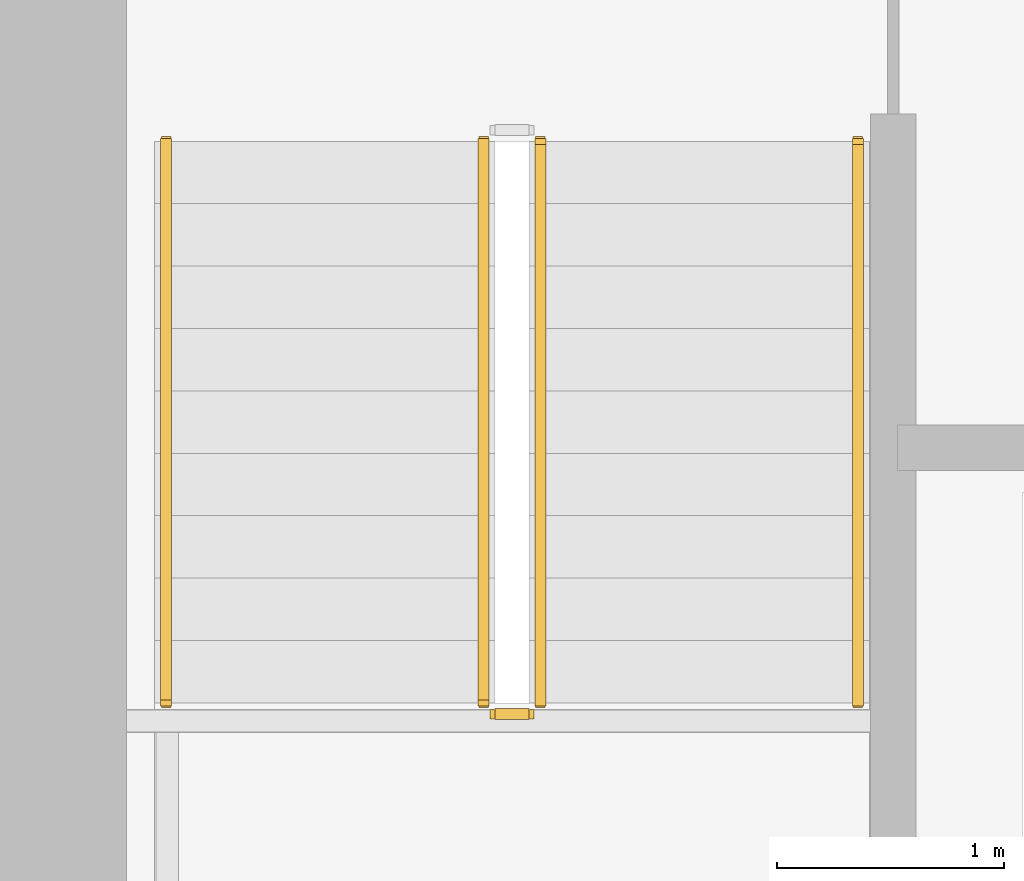
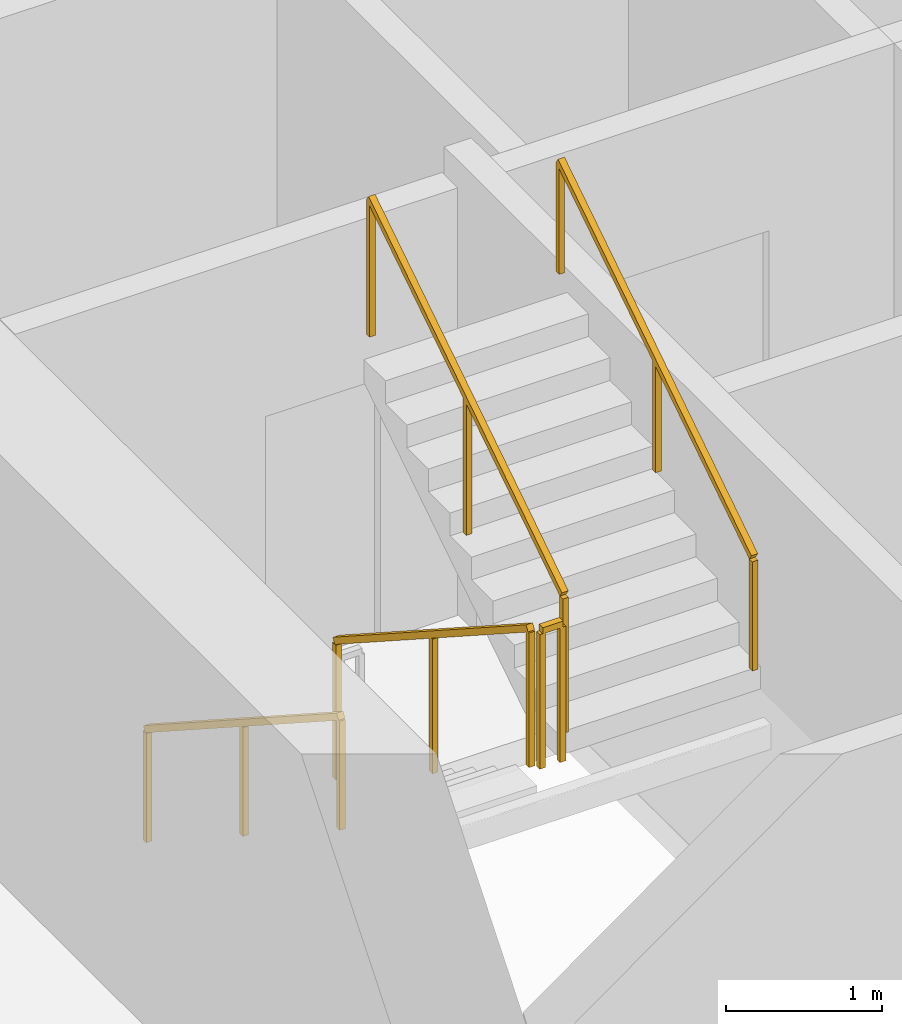
# One storey, part 8 of 10: 5 railings.
"""IFC4 building model written with IfcOpenShell, lengths in metres."""

import ifcopenshell
import ifcopenshell.guid

model = None  # the IFC model being written
_history = None  # IfcOwnerHistory: only IFC2X3 demands one
_inside = {}  # id of a spatial element -> (the spatial element, [elements in it])
_under = {}  # id of a project, library or spatial element -> (it, [spatial elements below it])
_declared = {}  # id of a project -> (the project, [libraries it declares])
_typed = {}  # id of a type object -> (the type object, [elements of that type])
_made_of = {}  # id of a material, layer set ... -> (it, [elements and type objects made of it])


def new_model(schema):
    """Start an empty IFC model of exactly this schema.

    Asked for "IFC4X3", IfcOpenShell would pick the latest addendum, in which some entities
    have other attributes; the version numbers below select the first issue.
    IFC2X3 requires an IfcOwnerHistory on every rooted entity: one is made here for all.
    """
    global model, _history
    if schema == "IFC4X3":
        model = ifcopenshell.file(schema_version=(4, 3, 0, 0))
    else:
        model = ifcopenshell.file(schema=schema)
    _inside.clear()
    _under.clear()
    _declared.clear()
    _typed.clear()
    _made_of.clear()
    _history = None
    if model.schema == "IFC2X3":
        org = make("IfcOrganization", Name="unknown")
        user = make(
            "IfcPersonAndOrganization",
            ThePerson=make("IfcPerson", FamilyName="unknown"),
            TheOrganization=org,
        )
        app = make(
            "IfcApplication",
            ApplicationDeveloper=org,
            Version="unknown",
            ApplicationFullName="unknown",
            ApplicationIdentifier="unknown",
        )
        _history = make(
            "IfcOwnerHistory",
            OwningUser=user,
            OwningApplication=app,
            ChangeAction="ADDED",
            CreationDate=0,
        )
    return model


def make(cls, **values):
    """One entity of the class cls with the attributes given. An attribute that is None is left unset."""
    return model.create_entity(
        cls, **{name: value for name, value in values.items() if value is not None}
    )


def rooted(cls, **values):
    """An entity with a GlobalId (a new one), such as an element, a storey or a relation."""
    return make(cls, GlobalId=ifcopenshell.guid.new(), OwnerHistory=_history, **values)


def si_unit(unit_type, name, prefix=None):
    """IfcSIUnit, for example si_unit("LENGTHUNIT", "METRE", prefix="MILLI")."""
    return make("IfcSIUnit", UnitType=unit_type, Prefix=prefix, Name=name)


def assignment(units):
    """IfcUnitAssignment: the units of a project."""
    return None if units is None else make("IfcUnitAssignment", Units=units)


def point(xyz):
    """IfcCartesianPoint."""
    return None if xyz is None else make("IfcCartesianPoint", Coordinates=xyz)


def direction(xyz):
    """IfcDirection."""
    return None if xyz is None else make("IfcDirection", DirectionRatios=xyz)


def frame(location, z_axis=None, x_axis=None):
    """IfcAxis2Placement3D, a coordinate frame: its origin and axes. An axis left out is left unset."""
    return make(
        "IfcAxis2Placement3D",
        Location=point(location),
        Axis=direction(z_axis),
        RefDirection=direction(x_axis),
    )


def frame_2d(location, x_axis=None):
    """IfcAxis2Placement2D, a coordinate frame in the plane: its origin and x axis."""
    return make(
        "IfcAxis2Placement2D", Location=point(location), RefDirection=direction(x_axis)
    )


def origin():
    """The frame at (0, 0, 0) with its axes left unset."""
    return frame((0.0, 0.0, 0.0))


def origin_2d():
    """The frame at (0, 0) in the plane with its x axis left unset."""
    return frame_2d((0.0, 0.0))


def place(relative_to, where):
    """IfcLocalPlacement: puts the frame where relative to a parent placement (None: the world)."""
    return make(
        "IfcLocalPlacement", PlacementRelTo=relative_to, RelativePlacement=where
    )


def context(
    kind, dimensions, precision=None, world=None, true_north=None, identifier=None
):
    """IfcGeometricRepresentationContext, for example the 3D "Model" context."""
    return make(
        "IfcGeometricRepresentationContext",
        ContextIdentifier=identifier,
        ContextType=kind,
        CoordinateSpaceDimension=dimensions,
        Precision=precision,
        WorldCoordinateSystem=world,
        TrueNorth=true_north,
    )


def subcontext(parent, identifier, kind, view, scale=None):
    """IfcGeometricRepresentationSubContext, for example "Body" below "Model"."""
    return make(
        "IfcGeometricRepresentationSubContext",
        ContextIdentifier=identifier,
        ContextType=kind,
        ParentContext=parent,
        TargetScale=scale,
        TargetView=view,
    )


def project(units=None, contexts=None):
    """IfcProject with its units and contexts."""
    return rooted(
        "IfcProject",
        Name="project",
        RepresentationContexts=contexts,
        UnitsInContext=assignment(units),
    )


def spatial(cls, under=None, at=None, **own):
    """A site, building, storey or space (cls), placed at a placement, below another one or the project."""
    s = rooted(cls, ObjectPlacement=at, **own)
    if under is not None:
        _under.setdefault(under.id(), (under, []))[1].append(s)
    return s


def profile(cls, at=None, kind="AREA", **sizes):
    """A parametric profile (cls). Its sizes go by their IFC names, for example OverallWidth=200.0."""
    return make(cls, ProfileType=kind, Position=at, **sizes)


def rectangle(**sizes):
    """IfcRectangleProfileDef."""
    return profile("IfcRectangleProfileDef", **sizes)


def extrude(swept, where, along, depth):
    """IfcExtrudedAreaSolid: the profile swept, set in the frame where, extruded along a direction by depth."""
    return make(
        "IfcExtrudedAreaSolid",
        SweptArea=swept,
        Position=where,
        ExtrudedDirection=direction(along),
        Depth=depth,
    )


def shape(context_of_items, identifier, shape_type, items):
    """IfcShapeRepresentation: the items that make up one representation, for example the "Body"."""
    return make(
        "IfcShapeRepresentation",
        ContextOfItems=context_of_items,
        RepresentationIdentifier=identifier,
        RepresentationType=shape_type,
        Items=items,
    )


def material(Name=None, Category=None):
    """IfcMaterial."""
    return make("IfcMaterial", Name=Name, Category=Category)


def made_of(thing, what):
    """Note that an element or type object is made of a material, layer set ...; save() writes the relation."""
    if what is not None:
        _made_of.setdefault(what.id(), (what, []))[1].append(thing)
    return thing


def type_object(cls, material=None, **own):
    """A type object (cls), such as IfcWallType, which elements share."""
    return made_of(rooted(cls, **own), material)


def element(
    cls,
    number,
    at=None,
    inside=None,
    cuts=None,
    type_object=None,
    material=None,
    context=None,
    identifier="Body",
    shape_type=None,
    held_by="IfcProductDefinitionShape",
    body=None,
    shapes=None,
    **own,
):
    """One element of the class cls, such as IfcWall. Its Tag is "e" and its number.

    at: its placement. inside: the storey or other place that contains it. cuts: it is an
    opening in that element (IfcRelVoidsElement). A single representation is given by context,
    identifier, shape_type and body (its items); several are given by shapes. held_by: the class
    of the entity that holds the representations. save() writes the other relations.
    """
    e = rooted(cls, Tag="e%d" % number, ObjectPlacement=at, **own)
    if body is not None:
        shapes = [shape(context, identifier, shape_type, body)]
    if shapes is not None:
        e.Representation = make(held_by, Representations=shapes)
    if inside is not None:
        _inside.setdefault(inside.id(), (inside, []))[1].append(e)
    if cuts is not None:
        rooted(
            "IfcRelVoidsElement", RelatingBuildingElement=cuts, RelatedOpeningElement=e
        )
    if type_object is not None:
        _typed.setdefault(type_object.id(), (type_object, []))[1].append(e)
    return made_of(e, material)


def aggregate(whole, parts):
    """IfcRelAggregates: a whole, such as a stair, and the parts it consists of."""
    return rooted("IfcRelAggregates", RelatingObject=whole, RelatedObjects=parts)


def save(model, path):
    """Write the relations noted so far, then the file.

    IfcRelAggregates (storeys below a building ...), IfcRelContainedInSpatialStructure (elements
    in a storey), IfcRelDefinesByType, IfcRelAssociatesMaterial and IfcRelDeclares: one each for
    every whole, place, type object, material and project.
    """
    for whole, parts in _under.values():
        aggregate(whole, parts)
    for where, things in _inside.values():
        rooted(
            "IfcRelContainedInSpatialStructure",
            RelatedElements=things,
            RelatingStructure=where,
        )
    for kind, things in _typed.values():
        rooted("IfcRelDefinesByType", RelatedObjects=things, RelatingType=kind)
    for what, things in _made_of.values():
        rooted("IfcRelAssociatesMaterial", RelatedObjects=things, RelatingMaterial=what)
    for by, libraries in _declared.values():
        rooted("IfcRelDeclares", RelatingContext=by, RelatedDefinitions=libraries)
    model.write(path)


model = new_model("IFC4")

# Units and contexts
model_context = context("Model", 3, precision=1e-05, world=origin(), true_north=direction((0.0, 1.0)))
body_context = subcontext(model_context, "Body", "Model", "MODEL_VIEW")
ifc_project = project(units=[si_unit("LENGTHUNIT", "METRE"), si_unit("AREAUNIT", "SQUARE_METRE"), si_unit("VOLUMEUNIT", "CUBIC_METRE"), si_unit("PLANEANGLEUNIT", "RADIAN"), si_unit("MASSUNIT", "GRAM", prefix="KILO")], contexts=[model_context])

# Site, building, storey
site_placement = place(None, origin())
site = spatial("IfcSite", under=ifc_project, at=site_placement, CompositionType="ELEMENT")
building_placement = place(site_placement, origin())
building = spatial("IfcBuilding", under=site, at=building_placement, Name="Cinnabar Lancet Tower", CompositionType="ELEMENT")
storey_placement = place(building_placement, frame((0.0, 0.0, 98.39990234375)))
storey = spatial("IfcBuildingStorey", under=building, at=storey_placement, Name="L25", CompositionType="ELEMENT", Elevation=98.39990234375)

# Railings
ifc_material_1 = material(Name="Painted galvanized steel balustrade", Category="steel")
railing_type_1 = type_object("IfcRailingType", Name="GUARD-STAIR", PredefinedType="GUARDRAIL", material=ifc_material_1)
railing_1_placement = place(storey_placement, frame((24.97509765625, 28.39990234375, 0.177490234375)))
element("IfcRailing", 1, at=railing_1_placement, inside=storey, type_object=railing_type_1, Name="L25 ST-1 stair guard 1", PredefinedType="GUARDRAIL", context=body_context, shape_type="SweptSolid", body=[
    extrude(rectangle(XDim=0.048095703125, YDim=0.048095703125, at=origin_2d()), frame((0.0, 0.0, 1.076171875), z_axis=(0.0, -0.84014559416, 0.542360932049), x_axis=(1.0, 0.0, 0.0)), (0.0, 0.0, 1.0), 2.94580078125),
    extrude(rectangle(XDim=0.0419921875, YDim=0.0419921875, at=origin_2d()), origin(), (0.0, 0.0, 1.0), 1.052001953125),
    extrude(rectangle(XDim=0.0419921875, YDim=0.0419921875, at=origin_2d()), frame((0.0, -1.2373046875, 0.798828125)), (0.0, 0.0, 1.0), 1.052001953125),
    extrude(rectangle(XDim=0.0419921875, YDim=0.0419921875, at=origin_2d()), frame((0.0, -2.474853515625, 1.59765625)), (0.0, 0.0, 1.0), 1.052001953125),
])
railing_2_placement = place(storey_placement, frame((25.02490234375, 25.875, 1.775146484375)))
element("IfcRailing", 2, at=railing_2_placement, inside=storey, type_object=railing_type_1, Name="L25 ST-1 stair guard 2", PredefinedType="GUARDRAIL", context=body_context, shape_type="SweptSolid", body=[
    extrude(rectangle(XDim=0.048095703125, YDim=0.048095703125, at=origin_2d()), frame((0.0, 0.0, 1.076171875), z_axis=(1.0, 0.0, 0.0), x_axis=(0.0, 1.0, 0.0)), (0.0, 0.0, 1.0), 0.150146484375),
    extrude(rectangle(XDim=0.0419921875, YDim=0.0419921875, at=origin_2d()), origin(), (0.0, 0.0, 1.0), 1.052001953125),
    extrude(rectangle(XDim=0.0419921875, YDim=0.0419921875, at=origin_2d()), frame((0.150146484375, 0.0, 0.0)), (0.0, 0.0, 1.0), 1.052001953125),
])
railing_3_placement = place(storey_placement, frame((25.22509765625, 25.925048828125, 1.95263671875)))
element("IfcRailing", 3, at=railing_3_placement, inside=storey, type_object=railing_type_1, Name="L25 ST-1 stair guard 3", PredefinedType="GUARDRAIL", context=body_context, shape_type="SweptSolid", body=[
    extrude(rectangle(XDim=0.048095703125, YDim=0.048095703125, at=origin_2d()), frame((0.0, 0.0, 1.076171875), z_axis=(0.0, 0.840183358697, 0.542302428327), x_axis=(-1.0, 0.0, 0.0)), (0.0, 0.0, 1.0), 2.945556640625),
    extrude(rectangle(XDim=0.0419921875, YDim=0.0419921875, at=origin_2d()), origin(), (0.0, 0.0, 1.0), 1.052001953125),
    extrude(rectangle(XDim=0.0419921875, YDim=0.0419921875, at=origin_2d()), frame((0.0, 1.2373046875, 0.798828125)), (0.0, 0.0, 1.0), 1.052001953125),
    extrude(rectangle(XDim=0.0419921875, YDim=0.0419921875, at=origin_2d()), frame((0.0, 2.474853515625, 1.597412109375)), (0.0, 0.0, 1.0), 1.052001953125),
])
ifc_material_2 = material(Name="Brushed stainless steel handrail", Category="steel")
railing_type_2 = type_object("IfcRailingType", Name="HANDRAIL-STAIR", PredefinedType="HANDRAIL", material=ifc_material_2)
railing_4_placement = place(storey_placement, frame((23.574951171875, 28.39990234375, 0.177490234375)))
element("IfcRailing", 4, at=railing_4_placement, inside=storey, type_object=railing_type_2, Name="L25 ST-1 stair handrail 1", PredefinedType="HANDRAIL", context=body_context, shape_type="SweptSolid", body=[
    extrude(rectangle(XDim=0.048095703125, YDim=0.048095703125, at=origin_2d()), frame((0.0, 0.0, 0.8759765625), z_axis=(0.0, -0.84014559416, 0.542360932049), x_axis=(1.0, 0.0, 0.0)), (0.0, 0.0, 1.0), 2.94580078125),
    extrude(rectangle(XDim=0.0419921875, YDim=0.0419921875, at=origin_2d()), origin(), (0.0, 0.0, 1.0), 0.851806640625),
    extrude(rectangle(XDim=0.0419921875, YDim=0.0419921875, at=origin_2d()), frame((0.0, -1.2373046875, 0.798828125)), (0.0, 0.0, 1.0), 0.851806640625),
    extrude(rectangle(XDim=0.0419921875, YDim=0.0419921875, at=origin_2d()), frame((0.0, -2.474853515625, 1.59765625)), (0.0, 0.0, 1.0), 0.851806640625),
])
railing_5_placement = place(storey_placement, frame((26.625, 25.925048828125, 1.95263671875)))
element("IfcRailing", 5, at=railing_5_placement, inside=storey, type_object=railing_type_2, Name="L25 ST-1 stair handrail 2", PredefinedType="HANDRAIL", context=body_context, shape_type="SweptSolid", body=[
    extrude(rectangle(XDim=0.048095703125, YDim=0.048095703125, at=origin_2d()), frame((0.0, 0.0, 0.8759765625), z_axis=(0.0, 0.840183358697, 0.542302428327), x_axis=(-1.0, 0.0, 0.0)), (0.0, 0.0, 1.0), 2.945556640625),
    extrude(rectangle(XDim=0.0419921875, YDim=0.0419921875, at=origin_2d()), origin(), (0.0, 0.0, 1.0), 0.851806640625),
    extrude(rectangle(XDim=0.0419921875, YDim=0.0419921875, at=origin_2d()), frame((0.0, 1.2373046875, 0.798828125)), (0.0, 0.0, 1.0), 0.851806640625),
    extrude(rectangle(XDim=0.0419921875, YDim=0.0419921875, at=origin_2d()), frame((0.0, 2.474853515625, 1.597412109375)), (0.0, 0.0, 1.0), 0.851806640625),
])

save(model, "model.ifc")
